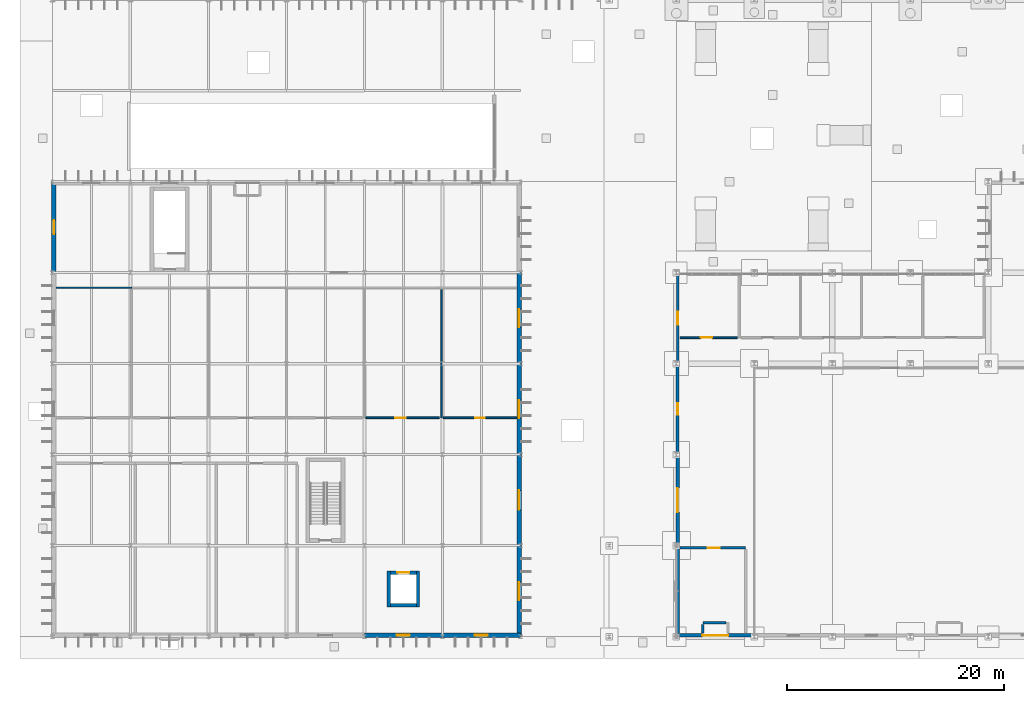
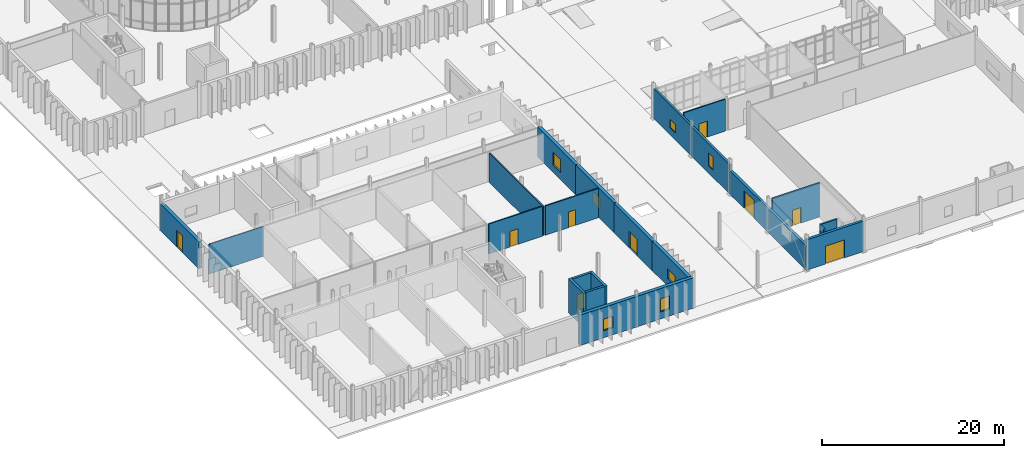
# One storey, part 89 of 118: 24 walls, 9 doors, 7 windows, 16 openings.
"""IFC4 building model written with IfcOpenShell, lengths in metres."""

from ifc_helpers import new_model, si_unit, direction, frame, frame_2d, origin, place, context, subcontext, project, spatial, rectangle, extrude, material, layer, layer_set, type_object, element, fill, save


model = new_model("IFC4")

# Units and contexts
model_context = context("Model", 3, precision=1e-05, world=origin(), true_north=direction((0.0, 1.0)))
body_context = subcontext(model_context, "Body", "Model", "MODEL_VIEW")
ifc_project = project(units=[si_unit("LENGTHUNIT", "METRE"), si_unit("AREAUNIT", "SQUARE_METRE"), si_unit("VOLUMEUNIT", "CUBIC_METRE"), si_unit("PLANEANGLEUNIT", "RADIAN"), si_unit("MASSUNIT", "GRAM", prefix="KILO")], contexts=[model_context])

# Site, building, storey
site_placement = place(None, origin())
site = spatial("IfcSite", under=ifc_project, at=site_placement, CompositionType="ELEMENT")
building_placement = place(site_placement, origin())
building = spatial("IfcBuilding", under=site, at=building_placement, Name="Qelthora Terrace Specialist Clinic", CompositionType="ELEMENT")
storey_placement = place(building_placement, origin())
storey = spatial("IfcBuildingStorey", under=building, at=storey_placement, Name="L00", CompositionType="ELEMENT", Elevation=0.0)

# Walls
ifc_material_1 = material(Name="Concrete C40/50", Category="concrete")
ifc_layer_1 = layer(ifc_material_1, 0.300048828125)
ifc_layer_set_1 = layer_set([ifc_layer_1], Name="Concrete C40/50")
wall_type_1 = type_object("IfcWallType", Name="WAL-CORE-300-C40", PredefinedType="SHEAR", material=ifc_layer_set_1)
for number, where, z_axis, x_axis, name in (
    (1, (31.050048828125, 2.75, 0.0), (0.0, 0.0, 1.0), (0.0, 1.0, 0.0), "Lift PL-03 L00 west shaft wall"),
    (2, (33.75, 2.75, 0.0), (0.0, 0.0, 1.0), (0.0, 1.0, 0.0), "Lift PL-03 L00 east shaft wall"),
):
    element("IfcWall", number, at=place(storey_placement, frame(where, z_axis=z_axis, x_axis=x_axis)), inside=storey, type_object=wall_type_1, Name=name, PredefinedType="SHEAR", context=body_context, shape_type="SweptSolid", body=[
        extrude(rectangle(XDim=3.300048828125, YDim=0.300048828125, at=frame_2d((1.64990234375, 0.0))), origin(), (0.0, 0.0, 1.0), 4.56005859375),
    ])

# Wall, opening, door
wall_1_placement = place(storey_placement, frame((31.199951171875, 5.89990234375, 0.0), z_axis=(0.0, 0.0, 1.0), x_axis=(1.0, 0.0, 0.0)))
wall_1 = element("IfcWall", 3, at=wall_1_placement, inside=storey, type_object=wall_type_1, Name="Lift PL-03 L00 north shaft wall", PredefinedType="SHEAR", context=body_context, shape_type="SweptSolid", body=[
    extrude(rectangle(XDim=2.400146484375, YDim=0.300048828125, at=frame_2d((1.2001953125, 0.0))), origin(), (0.0, 0.0, 1.0), 4.56005859375),
])
opening_1_placement = place(wall_1_placement, frame((0.64990234375, 0.0, 0.0)))
opening_1 = element("IfcOpeningElement", 4, at=opening_1_placement, cuts=wall_1, Name="Opening LD-PL-03-L00", PredefinedType="OPENING", context=body_context, shape_type="SweptSolid", body=[
    extrude(rectangle(XDim=1.10009765625, YDim=2.14990234375, at=frame_2d((0.550048828125, 1.074951171875))), frame((0.0, 0.159912109375, 0.0), z_axis=(0.0, -1.0, 0.0), x_axis=(1.0, 0.0, 0.0)), (0.0, 0.0, 1.0), 0.320068359375),
])
ifc_material_2 = material(Name="Steel S355", Category="steel")
door_type_1 = type_object("IfcDoorType", Name="DOR-LIFT-1100X2150", OperationType="NOTDEFINED", PredefinedType="DOOR", material=ifc_material_2)
door_1_placement = place(opening_1_placement, origin())
door_1 = element("IfcDoor", 5, at=door_1_placement, inside=storey, type_object=door_type_1, Name="Lift landing sliding door LD-PL-03-L00", OperationType="DOUBLE_DOOR_SLIDING", OverallHeight=2.14990234375, OverallWidth=1.10009765625, PredefinedType="DOOR", context=body_context, shape_type="SweptSolid", body=[
    extrude(rectangle(XDim=1.10009765625, YDim=2.14990234375, at=frame_2d((0.550048828125, 1.074951171875))), frame((0.0, 0.02490234375, 0.0), z_axis=(0.0, -1.0, 0.0), x_axis=(1.0, 0.0, 0.0)), (0.0, 0.0, 1.0), 0.050048828125),
])
fill(opening_1, door_1)

# Wall
wall_2_placement = place(storey_placement, frame((31.199951171875, 2.89990234375, 0.0), z_axis=(0.0, 0.0, 1.0), x_axis=(1.0, 0.0, 0.0)))
element("IfcWall", 6, at=wall_2_placement, inside=storey, type_object=wall_type_1, Name="Lift PL-03 L00 south shaft wall", PredefinedType="SHEAR", context=body_context, shape_type="SweptSolid", body=[
    extrude(rectangle(XDim=2.400146484375, YDim=0.300048828125, at=frame_2d((1.2001953125, 0.0))), origin(), (0.0, 0.0, 1.0), 4.56005859375),
])

# Wall, opening, window
ifc_material_3 = material(Name="Precast concrete C40/50", Category="concrete")
ifc_layer_2 = layer(ifc_material_3, 0.260009765625)
ifc_layer_set_2 = layer_set([ifc_layer_2], Name="Precast concrete C40/50")
wall_type_2 = type_object("IfcWallType", Name="WAL-EXT-260-PC40", PredefinedType="SOLIDWALL", material=ifc_layer_set_2)
wall_3_placement = place(storey_placement, frame((57.719970703125, 25.199951171875, 0.0), z_axis=(0.0, 0.0, 1.0), x_axis=(0.0, 1.0, 0.0)))
wall_3 = element("IfcWall", 7, at=wall_3_placement, inside=storey, type_object=wall_type_2, Name="L00 external precast wall 9", PredefinedType="SOLIDWALL", context=body_context, shape_type="SweptSolid", body=[
    extrude(rectangle(XDim=8.400146484375, YDim=0.260009765625, at=frame_2d((4.2001953125, 0.0))), origin(), (0.0, 0.0, 1.0), 3.998046875),
])
opening_2_placement = place(wall_3_placement, frame((3.60009765625, 0.0, 0.949951171875)))
opening_2 = element("IfcOpeningElement", 8, at=opening_2_placement, cuts=wall_3, Name="Opening WN-L00-005", PredefinedType="OPENING", context=body_context, shape_type="SweptSolid", body=[
    extrude(rectangle(XDim=1.199951171875, YDim=1.14990234375, at=frame_2d((0.60009765625, 0.574951171875))), frame((0.0, 0.139892578125, 0.0), z_axis=(0.0, -1.0, 0.0), x_axis=(1.0, 0.0, 0.0)), (0.0, 0.0, 1.0), 0.280029296875),
])
ifc_material_4 = material(Name="Low-E triple-silver insulating glass", Category="glass")
window_type_1 = type_object("IfcWindowType", Name="WIN-1200X1150", PartitioningType="SINGLE_PANEL", PredefinedType="WINDOW", material=ifc_material_4)
window_1_placement = place(opening_2_placement, origin())
window_1 = element("IfcWindow", 9, at=window_1_placement, inside=storey, type_object=window_type_1, Name="Clinical window WN-L00-005", OverallHeight=1.14990234375, OverallWidth=1.199951171875, PartitioningType="SINGLE_PANEL", PredefinedType="WINDOW", context=body_context, shape_type="SweptSolid", body=[
    extrude(rectangle(XDim=1.199951171875, YDim=1.14990234375, at=frame_2d((0.60009765625, 0.574951171875))), frame((0.0, 0.030029296875, 0.0), z_axis=(0.0, -1.0, 0.0), x_axis=(1.0, 0.0, 0.0)), (0.0, 0.0, 1.0), 0.06005859375),
])
fill(opening_2, window_1)

ifc_layer_3 = layer(ifc_material_3, 0.280029296875)
ifc_layer_set_3 = layer_set([ifc_layer_3], Name="Precast concrete C40/50")
wall_type_3 = type_object("IfcWallType", Name="WAL-EXT-280-PC40", PredefinedType="SOLIDWALL", material=ifc_layer_set_3)
wall_4_placement = place(storey_placement, frame((57.719970703125, 16.800048828125, 0.0), z_axis=(0.0, 0.0, 1.0), x_axis=(0.0, 1.0, 0.0)))
wall_4 = element("IfcWall", 10, at=wall_4_placement, inside=storey, type_object=wall_type_3, Name="L00 external precast wall 8", PredefinedType="SOLIDWALL", context=body_context, shape_type="SweptSolid", body=[
    extrude(rectangle(XDim=8.39990234375, YDim=0.280029296875, at=frame_2d((4.199951171875, 0.0))), origin(), (0.0, 0.0, 1.0), 3.925048828125),
])
opening_3_placement = place(wall_4_placement, frame((3.675048828125, 0.0, 0.949951171875)))
opening_3 = element("IfcOpeningElement", 11, at=opening_3_placement, cuts=wall_4, Name="Opening WN-L00-004", PredefinedType="OPENING", context=body_context, shape_type="SweptSolid", body=[
    extrude(rectangle(XDim=1.050048828125, YDim=1.75, at=frame_2d((0.52490234375, 0.875))), frame((0.0, 0.14990234375, 0.0), z_axis=(0.0, -1.0, 0.0), x_axis=(1.0, 0.0, 0.0)), (0.0, 0.0, 1.0), 0.300048828125),
])
window_type_2 = type_object("IfcWindowType", Name="WIN-1050X1750", PartitioningType="SINGLE_PANEL", PredefinedType="WINDOW", material=ifc_material_4)
window_2_placement = place(opening_3_placement, origin())
window_2 = element("IfcWindow", 12, at=window_2_placement, inside=storey, type_object=window_type_2, Name="Clinical window WN-L00-004", OverallHeight=1.75, OverallWidth=1.050048828125, PartitioningType="SINGLE_PANEL", PredefinedType="WINDOW", context=body_context, shape_type="SweptSolid", body=[
    extrude(rectangle(XDim=1.050048828125, YDim=1.75, at=frame_2d((0.52490234375, 0.875))), frame((0.0, 0.030029296875, 0.0), z_axis=(0.0, -1.0, 0.0), x_axis=(1.0, 0.0, 0.0)), (0.0, 0.0, 1.0), 0.06005859375),
])
fill(opening_3, window_2)

# Wall, opening, door
ifc_layer_4 = layer(ifc_material_3, 0.300048828125)
ifc_layer_set_4 = layer_set([ifc_layer_4], Name="Precast concrete C40/50")
wall_type_4 = type_object("IfcWallType", Name="WAL-EXT-300-PC40", PredefinedType="SOLIDWALL", material=ifc_layer_set_4)
wall_5_placement = place(storey_placement, frame((57.719970703125, 8.39990234375, 0.0), z_axis=(0.0, 0.0, 1.0), x_axis=(0.0, 1.0, 0.0)))
wall_5 = element("IfcWall", 13, at=wall_5_placement, inside=storey, type_object=wall_type_4, Name="L00 external precast wall 7", PredefinedType="SOLIDWALL", context=body_context, shape_type="SweptSolid", body=[
    extrude(rectangle(XDim=8.400146484375, YDim=0.300048828125, at=frame_2d((4.2001953125, 0.0))), origin(), (0.0, 0.0, 1.0), 3.199951171875),
])
opening_4_placement = place(wall_5_placement, frame((3.10009765625, 0.0, 0.0)))
opening_4 = element("IfcOpeningElement", 14, at=opening_4_placement, cuts=wall_5, Name="Opening DE-FORE-01", PredefinedType="OPENING", context=body_context, shape_type="SweptSolid", body=[
    extrude(rectangle(XDim=2.199951171875, YDim=2.39990234375, at=frame_2d((1.10009765625, 1.199951171875))), frame((0.0, 0.159912109375, 0.0), z_axis=(0.0, -1.0, 0.0), x_axis=(1.0, 0.0, 0.0)), (0.0, 0.0, 1.0), 0.320068359375),
])
door_type_2 = type_object("IfcDoorType", Name="DOR-EXT-2200X2400", OperationType="NOTDEFINED", PredefinedType="DOOR", material=ifc_material_2)
door_2_placement = place(opening_4_placement, origin())
door_2 = element("IfcDoor", 15, at=door_2_placement, inside=storey, type_object=door_type_2, Name="Exterior entrance/exit door DE-FORE-01", OperationType="DOUBLE_DOOR_SINGLE_SWING", OverallHeight=2.39990234375, OverallWidth=2.199951171875, PredefinedType="DOOR", context=body_context, shape_type="SweptSolid", body=[
    extrude(rectangle(XDim=2.199951171875, YDim=2.39990234375, at=frame_2d((1.10009765625, 1.199951171875))), frame((0.0, 0.02490234375, 0.0), z_axis=(0.0, -1.0, 0.0), x_axis=(1.0, 0.0, 0.0)), (0.0, 0.0, 1.0), 0.050048828125),
])
fill(opening_4, door_2)

ifc_layer_5 = layer(ifc_material_3, 0.320068359375)
ifc_layer_set_5 = layer_set([ifc_layer_5], Name="Precast concrete C40/50")
wall_type_5 = type_object("IfcWallType", Name="WAL-EXT-320-PC40", PredefinedType="SOLIDWALL", material=ifc_layer_set_5)
wall_6_placement = place(storey_placement, frame((57.60009765625, 0.1201171875, 0.0), z_axis=(0.0, 0.0, 1.0), x_axis=(1.0, 0.0, 0.0)))
wall_6 = element("IfcWall", 16, at=wall_6_placement, inside=storey, type_object=wall_type_5, Name="L00 external precast wall 1", PredefinedType="SOLIDWALL", context=body_context, shape_type="SweptSolid", body=[
    extrude(rectangle(XDim=7.199951171875, YDim=0.320068359375, at=frame_2d((3.60009765625, 0.0))), origin(), (0.0, 0.0, 1.0), 4.08203125),
])
opening_5_placement = place(wall_6_placement, frame((2.39990234375, 0.0, 0.0)))
opening_5 = element("IfcOpeningElement", 17, at=opening_5_placement, cuts=wall_6, Name="Opening DE-MAIN-01", PredefinedType="OPENING", context=body_context, shape_type="SweptSolid", body=[
    extrude(rectangle(XDim=2.39990234375, YDim=2.39990234375, at=frame_2d((1.199951171875, 1.199951171875))), frame((0.0, 0.169921875, 0.0), z_axis=(0.0, -1.0, 0.0), x_axis=(1.0, 0.0, 0.0)), (0.0, 0.0, 1.0), 0.340087890625),
])
door_type_3 = type_object("IfcDoorType", Name="DOR-EXT-2400X2400", OperationType="NOTDEFINED", PredefinedType="DOOR", material=ifc_material_2)
door_3_placement = place(opening_5_placement, frame((2.39990234375, 0.0, 0.0), z_axis=(0.0, 0.0, 1.0), x_axis=(-1.0, 0.0, 0.0)))
door_3 = element("IfcDoor", 18, at=door_3_placement, inside=storey, type_object=door_type_3, Name="Exterior entrance/exit door DE-MAIN-01", OperationType="DOUBLE_DOOR_SINGLE_SWING", OverallHeight=2.39990234375, OverallWidth=2.39990234375, PredefinedType="DOOR", context=body_context, shape_type="SweptSolid", body=[
    extrude(rectangle(XDim=2.39990234375, YDim=2.39990234375, at=frame_2d((1.199951171875, 1.199951171875))), frame((0.0, 0.02490234375, 0.0), z_axis=(0.0, -1.0, 0.0), x_axis=(1.0, 0.0, 0.0)), (0.0, 0.0, 1.0), 0.050048828125),
])
fill(opening_5, door_3)

# Wall
wall_7_placement = place(storey_placement, frame((57.719970703125, 0.0, 0.0), z_axis=(0.0, 0.0, 1.0), x_axis=(0.0, 1.0, 0.0)))
element("IfcWall", 19, at=wall_7_placement, inside=storey, type_object=wall_type_5, Name="L00 external precast wall 6", PredefinedType="SOLIDWALL", context=body_context, shape_type="SweptSolid", body=[
    extrude(rectangle(XDim=8.39990234375, YDim=0.320068359375, at=frame_2d((4.199951171875, 0.0))), origin(), (0.0, 0.0, 1.0), 3.199951171875),
])

# Wall, opening, door
ifc_material_5 = material(Name="Gypsum fire-rated wallboard", Category="gypsum")
ifc_layer_6 = layer(ifc_material_5, 0.159912109375)
ifc_layer_set_6 = layer_set([ifc_layer_6], Name="Gypsum fire-rated wallboard")
wall_type_6 = type_object("IfcWallType", Name="WAL-INT-COR-160", PredefinedType="PARTITIONING", material=ifc_layer_set_6)
wall_8_placement = place(storey_placement, frame((63.219970703125, 27.60009765625, 0.0), z_axis=(0.0, 0.0, 1.0), x_axis=(-1.0, 0.0, 0.0)))
wall_8 = element("IfcWall", 20, at=wall_8_placement, inside=storey, type_object=wall_type_6, Name="Interior clinical partition IWAL-L00-0032", PredefinedType="PARTITIONING", context=body_context, shape_type="SweptSolid", body=[
    extrude(rectangle(XDim=5.280029296875, YDim=0.159912109375, at=frame_2d((2.64013671875, 0.0))), origin(), (0.0, 0.0, 1.0), 4.282958984375),
])
opening_6_placement = place(wall_8_placement, frame((2.300048828125, 0.0, 0.0)))
opening_6 = element("IfcOpeningElement", 21, at=opening_6_placement, cuts=wall_8, Name="Opening DI-L00-0012", PredefinedType="OPENING", context=body_context, shape_type="SweptSolid", body=[
    extrude(rectangle(XDim=1.080078125, YDim=2.14990234375, at=frame_2d((0.5400390625, 1.074951171875))), frame((0.0, 0.08984375, 0.0), z_axis=(0.0, -1.0, 0.0), x_axis=(1.0, 0.0, 0.0)), (0.0, 0.0, 1.0), 0.179931640625),
])
ifc_material_6 = material(Name="Glulam timber GL28h", Category="wood")
door_type_4 = type_object("IfcDoorType", Name="DOR-CON-1080X2150", OperationType="NOTDEFINED", PredefinedType="DOOR", material=ifc_material_6)
door_4_placement = place(opening_6_placement, frame((1.080078125, 0.0, 0.0), z_axis=(0.0, 0.0, 1.0), x_axis=(-1.0, 0.0, 0.0)))
door_4 = element("IfcDoor", 22, at=door_4_placement, inside=storey, type_object=door_type_4, Name="Interior clinical door DI-L00-0012", OperationType="SINGLE_SWING_LEFT", OverallHeight=2.14990234375, OverallWidth=1.080078125, PredefinedType="DOOR", context=body_context, shape_type="SweptSolid", body=[
    extrude(rectangle(XDim=1.080078125, YDim=2.14990234375, at=frame_2d((0.5400390625, 1.074951171875))), frame((0.0, 0.02490234375, 0.0), z_axis=(0.0, -1.0, 0.0), x_axis=(1.0, 0.0, 0.0)), (0.0, 0.0, 1.0), 0.050048828125),
])
fill(opening_6, door_4)

# Walls
ifc_layer_7 = layer(ifc_material_4, 0.110107421875)
ifc_layer_set_7 = layer_set([ifc_layer_7], Name="Low-E triple-silver insulating glass")
wall_type_7 = type_object("IfcWallType", Name="WAL-INT-GLA-110", PredefinedType="MOVABLE", material=ifc_layer_set_7)
wall_9_placement = place(storey_placement, frame((0.340087890625, 32.199951171875, 0.0), z_axis=(0.0, 0.0, 1.0), x_axis=(1.0, 0.0, 0.0)))
element("IfcWall", 23, at=wall_9_placement, inside=storey, type_object=wall_type_7, Name="Interior clinical partition IWAL-L00-0047", PredefinedType="MOVABLE", context=body_context, shape_type="SweptSolid", body=[
    extrude(rectangle(XDim=6.9599609375, YDim=0.110107421875, at=frame_2d((3.47998046875, 0.0))), origin(), (0.0, 0.0, 1.0), 4.0009765625),
])
ifc_layer_8 = layer(ifc_material_5, 0.199951171875)
ifc_layer_set_8 = layer_set([ifc_layer_8], Name="Gypsum fire-rated wallboard")
wall_type_8 = type_object("IfcWallType", Name="WAL-INT-SMK-200", PredefinedType="PARTITIONING", material=ifc_layer_set_8)
wall_10_placement = place(storey_placement, frame((62.179931640625, 1.280029296875, 0.0), z_axis=(0.0, 0.0, 1.0), x_axis=(-1.0, 0.0, 0.0)))
element("IfcWall", 24, at=wall_10_placement, inside=storey, type_object=wall_type_8, Name="Interior clinical partition IWAL-L00-0022", PredefinedType="PARTITIONING", context=body_context, shape_type="SweptSolid", body=[
    extrude(rectangle(XDim=2.139892578125, YDim=0.199951171875, at=frame_2d((1.06982421875, 0.0))), origin(), (0.0, 0.0, 1.0), 4.544921875),
])
wall_11_placement = place(storey_placement, frame((60.0400390625, 1.10009765625, 0.0), z_axis=(0.0, 0.0, 1.0), x_axis=(0.0, -1.0, 0.0)))
element("IfcWall", 25, at=wall_11_placement, inside=storey, type_object=wall_type_8, Name="Interior clinical partition IWAL-L00-0023", PredefinedType="PARTITIONING", context=body_context, shape_type="SweptSolid", body=[
    extrude(rectangle(XDim=0.760009765625, YDim=0.199951171875, at=frame_2d((0.3798828125, 0.0))), origin(), (0.0, 0.0, 1.0), 4.544921875),
])

# Wall, opening, door
wall_12_placement = place(storey_placement, frame((57.93994140625, 8.199951171875, 0.0), z_axis=(0.0, 0.0, 1.0), x_axis=(1.0, 0.0, 0.0)))
wall_12 = element("IfcWall", 26, at=wall_12_placement, inside=storey, type_object=wall_type_8, Name="Interior clinical partition IWAL-L00-0024", PredefinedType="PARTITIONING", context=body_context, shape_type="SweptSolid", body=[
    extrude(rectangle(XDim=6.06005859375, YDim=0.199951171875, at=frame_2d((3.030029296875, 0.0))), origin(), (0.0, 0.0, 1.0), 4.544921875),
])
opening_7_placement = place(wall_12_placement, frame((2.550048828125, 0.0, 0.0)))
opening_7 = element("IfcOpeningElement", 27, at=opening_7_placement, cuts=wall_12, Name="Opening DI-L00-0010", PredefinedType="OPENING", context=body_context, shape_type="SweptSolid", body=[
    extrude(rectangle(XDim=1.10009765625, YDim=2.10009765625, at=frame_2d((0.550048828125, 1.050048828125))), frame((0.0, 0.10986328125, 0.0), z_axis=(0.0, -1.0, 0.0), x_axis=(1.0, 0.0, 0.0)), (0.0, 0.0, 1.0), 0.219970703125),
])
door_type_5 = type_object("IfcDoorType", Name="DOR-FC-1100X2100", OperationType="NOTDEFINED", PredefinedType="DOOR", material=ifc_material_2)
door_5_placement = place(opening_7_placement, frame((1.10009765625, 0.0, 0.0), z_axis=(0.0, 0.0, 1.0), x_axis=(-1.0, 0.0, 0.0)))
door_5 = element("IfcDoor", 28, at=door_5_placement, inside=storey, type_object=door_type_5, Name="Interior clinical door DI-L00-0010", OperationType="SINGLE_SWING_LEFT", OverallHeight=2.10009765625, OverallWidth=1.10009765625, PredefinedType="DOOR", context=body_context, shape_type="SweptSolid", body=[
    extrude(rectangle(XDim=1.10009765625, YDim=2.10009765625, at=frame_2d((0.550048828125, 1.050048828125))), frame((0.0, 0.02490234375, 0.0), z_axis=(0.0, -1.0, 0.0), x_axis=(1.0, 0.0, 0.0)), (0.0, 0.0, 1.0), 0.050048828125),
])
fill(opening_7, door_5)

# Wall
ifc_material_7 = material(Name="Gypsum moisture-resistant", Category="gypsum")
ifc_layer_9 = layer(ifc_material_7, 0.14990234375)
ifc_layer_set_9 = layer_set([ifc_layer_9], Name="Gypsum moisture-resistant")
wall_type_9 = type_object("IfcWallType", Name="WAL-INT-WET-150", PredefinedType="PLUMBINGWALL", material=ifc_layer_set_9)
wall_13_placement = place(storey_placement, frame((35.89990234375, 32.02001953125, 0.0), z_axis=(0.0, 0.0, 1.0), x_axis=(0.0, -1.0, 0.0)))
element("IfcWall", 29, at=wall_13_placement, inside=storey, type_object=wall_type_9, Name="Interior clinical partition IWAL-L00-0060", PredefinedType="PLUMBINGWALL", context=body_context, shape_type="SweptSolid", body=[
    extrude(rectangle(XDim=11.820068359375, YDim=0.14990234375, at=frame_2d((5.91015625, 0.0))), origin(), (0.0, 0.0, 1.0), 3.927978515625),
])

# Wall, opening, door
wall_14_placement = place(storey_placement, frame((35.719970703125, 20.199951171875, 0.0), z_axis=(0.0, 0.0, 1.0), x_axis=(-1.0, 0.0, 0.0)))
wall_14 = element("IfcWall", 30, at=wall_14_placement, inside=storey, type_object=wall_type_9, Name="Interior clinical partition IWAL-L00-0061", PredefinedType="PLUMBINGWALL", context=body_context, shape_type="SweptSolid", body=[
    extrude(rectangle(XDim=6.7900390625, YDim=0.14990234375, at=frame_2d((3.39501953125, 0.0))), origin(), (0.0, 0.0, 1.0), 4.008056640625),
])
opening_8_placement = place(wall_14_placement, frame((3.094970703125, 0.0, 0.0)))
opening_8 = element("IfcOpeningElement", 31, at=opening_8_placement, cuts=wall_14, Name="Opening DI-L00-0024", PredefinedType="OPENING", context=body_context, shape_type="SweptSolid", body=[
    extrude(rectangle(XDim=1.0, YDim=2.10009765625, at=frame_2d((0.5, 1.050048828125))), frame((0.0, 0.0849609375, 0.0), z_axis=(0.0, -1.0, 0.0), x_axis=(1.0, 0.0, 0.0)), (0.0, 0.0, 1.0), 0.169921875),
])
door_type_6 = type_object("IfcDoorType", Name="DOR-AWC-1000X2100", OperationType="NOTDEFINED", PredefinedType="DOOR", material=ifc_material_6)
door_6_placement = place(opening_8_placement, frame((1.0, 0.0, 0.0), z_axis=(0.0, 0.0, 1.0), x_axis=(-1.0, 0.0, 0.0)))
door_6 = element("IfcDoor", 32, at=door_6_placement, inside=storey, type_object=door_type_6, Name="Interior clinical door DI-L00-0024", OperationType="SINGLE_SWING_LEFT", OverallHeight=2.10009765625, OverallWidth=1.0, PredefinedType="DOOR", context=body_context, shape_type="SweptSolid", body=[
    extrude(rectangle(XDim=1.0, YDim=2.10009765625, at=frame_2d((0.5, 1.050048828125))), frame((0.0, 0.02490234375, 0.0), z_axis=(0.0, -1.0, 0.0), x_axis=(1.0, 0.0, 0.0)), (0.0, 0.0, 1.0), 0.050048828125),
])
fill(opening_8, door_6)

wall_15_placement = place(storey_placement, frame((42.860107421875, 20.199951171875, 0.0), z_axis=(0.0, 0.0, 1.0), x_axis=(-1.0, 0.0, 0.0)))
wall_15 = element("IfcWall", 33, at=wall_15_placement, inside=storey, type_object=wall_type_9, Name="Interior clinical partition IWAL-L00-0063", PredefinedType="PLUMBINGWALL", context=body_context, shape_type="SweptSolid", body=[
    extrude(rectangle(XDim=6.780029296875, YDim=0.14990234375, at=frame_2d((3.39013671875, 0.0))), origin(), (0.0, 0.0, 1.0), 3.927978515625),
])
opening_9_placement = place(wall_15_placement, frame((2.93994140625, 0.0, 0.0)))
opening_9 = element("IfcOpeningElement", 34, at=opening_9_placement, cuts=wall_15, Name="Opening DI-L00-0025", PredefinedType="OPENING", context=body_context, shape_type="SweptSolid", body=[
    extrude(rectangle(XDim=0.89990234375, YDim=2.10009765625, at=frame_2d((0.449951171875, 1.050048828125))), frame((0.0, 0.0849609375, 0.0), z_axis=(0.0, -1.0, 0.0), x_axis=(1.0, 0.0, 0.0)), (0.0, 0.0, 1.0), 0.169921875),
])
door_type_7 = type_object("IfcDoorType", Name="DOR-WC-900X2100", OperationType="NOTDEFINED", PredefinedType="DOOR", material=ifc_material_6)
door_7_placement = place(opening_9_placement, frame((0.89990234375, 0.0, 0.0), z_axis=(0.0, 0.0, 1.0), x_axis=(-1.0, 0.0, 0.0)))
door_7 = element("IfcDoor", 35, at=door_7_placement, inside=storey, type_object=door_type_7, Name="Interior clinical door DI-L00-0025", OperationType="SINGLE_SWING_RIGHT", OverallHeight=2.10009765625, OverallWidth=0.89990234375, PredefinedType="DOOR", context=body_context, shape_type="SweptSolid", body=[
    extrude(rectangle(XDim=0.89990234375, YDim=2.10009765625, at=frame_2d((0.449951171875, 1.050048828125))), frame((0.0, 0.02490234375, 0.0), z_axis=(0.0, -1.0, 0.0), x_axis=(1.0, 0.0, 0.0)), (0.0, 0.0, 1.0), 0.050048828125),
])
fill(opening_9, door_7)

# Wall, opening, window
ifc_layer_10 = layer(ifc_material_3, 0.419921875)
ifc_layer_set_10 = layer_set([ifc_layer_10], Name="Precast concrete C40/50")
wall_type_10 = type_object("IfcWallType", Name="WAL-MRI-420-PC40", PredefinedType="SOLIDWALL", material=ifc_layer_set_10)
wall_16_placement = place(storey_placement, frame((28.800048828125, 0.1201171875, 0.0), z_axis=(0.0, 0.0, 1.0), x_axis=(1.0, 0.0, 0.0)))
wall_16 = element("IfcWall", 36, at=wall_16_placement, inside=storey, type_object=wall_type_10, Name="L00 external precast wall 94", PredefinedType="SOLIDWALL", context=body_context, shape_type="SweptSolid", body=[
    extrude(rectangle(XDim=7.199951171875, YDim=0.419921875, at=frame_2d((3.60009765625, 0.0))), origin(), (0.0, 0.0, 1.0), 4.08203125),
])
opening_10_placement = place(wall_16_placement, frame((3.0, 0.0, 0.949951171875)))
opening_10 = element("IfcOpeningElement", 37, at=opening_10_placement, cuts=wall_16, Name="Opening WN-L00-071", PredefinedType="OPENING", context=body_context, shape_type="SweptSolid", body=[
    extrude(rectangle(XDim=1.199951171875, YDim=1.550048828125, at=frame_2d((0.60009765625, 0.77490234375))), frame((0.0, 0.219970703125, 0.0), z_axis=(0.0, -1.0, 0.0), x_axis=(1.0, 0.0, 0.0)), (0.0, 0.0, 1.0), 0.43994140625),
])
window_type_3 = type_object("IfcWindowType", Name="WIN-1200X1550", PartitioningType="SINGLE_PANEL", PredefinedType="WINDOW", material=ifc_material_4)
window_3_placement = place(opening_10_placement, origin())
window_3 = element("IfcWindow", 38, at=window_3_placement, inside=storey, type_object=window_type_3, Name="Clinical window WN-L00-071", OverallHeight=1.550048828125, OverallWidth=1.199951171875, PartitioningType="SINGLE_PANEL", PredefinedType="WINDOW", context=body_context, shape_type="SweptSolid", body=[
    extrude(rectangle(XDim=1.199951171875, YDim=1.550048828125, at=frame_2d((0.60009765625, 0.77490234375))), frame((0.0, 0.030029296875, 0.0), z_axis=(0.0, -1.0, 0.0), x_axis=(1.0, 0.0, 0.0)), (0.0, 0.0, 1.0), 0.06005859375),
])
fill(opening_10, window_3)

wall_17_placement = place(storey_placement, frame((36.0, 0.1201171875, 0.0), z_axis=(0.0, 0.0, 1.0), x_axis=(1.0, 0.0, 0.0)))
wall_17 = element("IfcWall", 39, at=wall_17_placement, inside=storey, type_object=wall_type_10, Name="L00 external precast wall 95", PredefinedType="SOLIDWALL", context=body_context, shape_type="SweptSolid", body=[
    extrude(rectangle(XDim=7.199951171875, YDim=0.419921875, at=frame_2d((3.60009765625, 0.0))), origin(), (0.0, 0.0, 1.0), 4.08203125),
])
opening_11_placement = place(wall_17_placement, frame((3.0, 0.0, 0.949951171875)))
opening_11 = element("IfcOpeningElement", 40, at=opening_11_placement, cuts=wall_17, Name="Opening WN-L00-072", PredefinedType="OPENING", context=body_context, shape_type="SweptSolid", body=[
    extrude(rectangle(XDim=1.199951171875, YDim=1.75, at=frame_2d((0.60009765625, 0.875))), frame((0.0, 0.219970703125, 0.0), z_axis=(0.0, -1.0, 0.0), x_axis=(1.0, 0.0, 0.0)), (0.0, 0.0, 1.0), 0.43994140625),
])
window_type_4 = type_object("IfcWindowType", Name="WIN-1200X1750", PartitioningType="SINGLE_PANEL", PredefinedType="WINDOW", material=ifc_material_4)
window_4_placement = place(opening_11_placement, origin())
window_4 = element("IfcWindow", 41, at=window_4_placement, inside=storey, type_object=window_type_4, Name="Clinical window WN-L00-072", OverallHeight=1.75, OverallWidth=1.199951171875, PartitioningType="SINGLE_PANEL", PredefinedType="WINDOW", context=body_context, shape_type="SweptSolid", body=[
    extrude(rectangle(XDim=1.199951171875, YDim=1.75, at=frame_2d((0.60009765625, 0.875))), frame((0.0, 0.030029296875, 0.0), z_axis=(0.0, -1.0, 0.0), x_axis=(1.0, 0.0, 0.0)), (0.0, 0.0, 1.0), 0.06005859375),
])
fill(opening_11, window_4)

# Wall, opening, door
wall_18_placement = place(storey_placement, frame((0.1201171875, 33.60009765625, 0.0), z_axis=(0.0, 0.0, 1.0), x_axis=(0.0, 1.0, 0.0)))
wall_18 = element("IfcWall", 42, at=wall_18_placement, inside=storey, type_object=wall_type_10, Name="L00 external precast wall 100", PredefinedType="SOLIDWALL", context=body_context, shape_type="SweptSolid", body=[
    extrude(rectangle(XDim=8.39990234375, YDim=0.419921875, at=frame_2d((4.199951171875, 0.0))), origin(), (0.0, 0.0, 1.0), 3.614990234375),
])
opening_12_placement = place(wall_18_placement, frame((3.550048828125, 0.0, 0.0)))
opening_12 = element("IfcOpeningElement", 43, at=opening_12_placement, cuts=wall_18, Name="Opening DE-ST04-EXIT", PredefinedType="OPENING", context=body_context, shape_type="SweptSolid", body=[
    extrude(rectangle(XDim=1.300048828125, YDim=2.199951171875, at=frame_2d((0.64990234375, 1.10009765625))), frame((0.0, 0.219970703125, 0.0), z_axis=(0.0, -1.0, 0.0), x_axis=(1.0, 0.0, 0.0)), (0.0, 0.0, 1.0), 0.43994140625),
])
door_type_8 = type_object("IfcDoorType", Name="DOR-EXT-1300X2200", OperationType="NOTDEFINED", PredefinedType="DOOR", material=ifc_material_2)
door_8_placement = place(opening_12_placement, origin())
door_8 = element("IfcDoor", 44, at=door_8_placement, inside=storey, type_object=door_type_8, Name="Exterior entrance/exit door DE-ST04-EXIT", OperationType="SINGLE_SWING_RIGHT", OverallHeight=2.199951171875, OverallWidth=1.300048828125, PredefinedType="DOOR", context=body_context, shape_type="SweptSolid", body=[
    extrude(rectangle(XDim=1.300048828125, YDim=2.199951171875, at=frame_2d((0.64990234375, 1.10009765625))), frame((0.0, 0.02490234375, 0.0), z_axis=(0.0, -1.0, 0.0), x_axis=(1.0, 0.0, 0.0)), (0.0, 0.0, 1.0), 0.050048828125),
])
fill(opening_12, door_8)

# Wall, opening, window
wall_19_placement = place(storey_placement, frame((43.080078125, 0.0, 0.0), z_axis=(0.0, 0.0, 1.0), x_axis=(0.0, 1.0, 0.0)))
wall_19 = element("IfcWall", 45, at=wall_19_placement, inside=storey, type_object=wall_type_10, Name="L00 external precast wall 107", PredefinedType="SOLIDWALL", context=body_context, shape_type="SweptSolid", body=[
    extrude(rectangle(XDim=8.39990234375, YDim=0.419921875, at=frame_2d((4.199951171875, 0.0))), origin(), (0.0, 0.0, 1.0), 3.925048828125),
])
opening_13_placement = place(wall_19_placement, frame((3.375, 0.0, 0.949951171875)))
opening_13 = element("IfcOpeningElement", 46, at=opening_13_placement, cuts=wall_19, Name="Opening WN-L00-082", PredefinedType="OPENING", context=body_context, shape_type="SweptSolid", body=[
    extrude(rectangle(XDim=1.64990234375, YDim=1.35009765625, at=frame_2d((0.824951171875, 0.675048828125))), frame((0.0, 0.219970703125, 0.0), z_axis=(0.0, -1.0, 0.0), x_axis=(1.0, 0.0, 0.0)), (0.0, 0.0, 1.0), 0.43994140625),
])
window_type_5 = type_object("IfcWindowType", Name="WIN-1650X1350", PartitioningType="DOUBLE_PANEL_VERTICAL", PredefinedType="WINDOW", material=ifc_material_4)
window_5_placement = place(opening_13_placement, origin())
window_5 = element("IfcWindow", 47, at=window_5_placement, inside=storey, type_object=window_type_5, Name="Clinical window WN-L00-082", OverallHeight=1.35009765625, OverallWidth=1.64990234375, PartitioningType="SINGLE_PANEL", PredefinedType="WINDOW", context=body_context, shape_type="SweptSolid", body=[
    extrude(rectangle(XDim=1.64990234375, YDim=1.35009765625, at=frame_2d((0.824951171875, 0.675048828125))), frame((0.0, 0.030029296875, 0.0), z_axis=(0.0, -1.0, 0.0), x_axis=(1.0, 0.0, 0.0)), (0.0, 0.0, 1.0), 0.06005859375),
])
fill(opening_13, window_5)

# Wall, opening, door
wall_20_placement = place(storey_placement, frame((43.080078125, 8.39990234375, 0.0), z_axis=(0.0, 0.0, 1.0), x_axis=(0.0, 1.0, 0.0)))
wall_20 = element("IfcWall", 48, at=wall_20_placement, inside=storey, type_object=wall_type_10, Name="L00 external precast wall 108", PredefinedType="SOLIDWALL", context=body_context, shape_type="SweptSolid", body=[
    extrude(rectangle(XDim=8.400146484375, YDim=0.419921875, at=frame_2d((4.2001953125, 0.0))), origin(), (0.0, 0.0, 1.0), 3.925048828125),
])
opening_14_placement = place(wall_20_placement, frame((3.300048828125, 0.0, 0.0)))
opening_14 = element("IfcOpeningElement", 49, at=opening_14_placement, cuts=wall_20, Name="Opening DE-IMG-01", PredefinedType="OPENING", context=body_context, shape_type="SweptSolid", body=[
    extrude(rectangle(XDim=1.800048828125, YDim=2.199951171875, at=frame_2d((0.89990234375, 1.10009765625))), frame((0.0, 0.219970703125, 0.0), z_axis=(0.0, -1.0, 0.0), x_axis=(1.0, 0.0, 0.0)), (0.0, 0.0, 1.0), 0.43994140625),
])
door_type_9 = type_object("IfcDoorType", Name="DOR-EXT-1800X2200", OperationType="NOTDEFINED", PredefinedType="DOOR", material=ifc_material_2)
door_9_placement = place(opening_14_placement, frame((1.800048828125, 0.0, 0.0), z_axis=(0.0, 0.0, 1.0), x_axis=(-1.0, 0.0, 0.0)))
door_9 = element("IfcDoor", 50, at=door_9_placement, inside=storey, type_object=door_type_9, Name="Exterior entrance/exit door DE-IMG-01", OperationType="DOUBLE_DOOR_SINGLE_SWING", OverallHeight=2.199951171875, OverallWidth=1.800048828125, PredefinedType="DOOR", context=body_context, shape_type="SweptSolid", body=[
    extrude(rectangle(XDim=1.800048828125, YDim=2.199951171875, at=frame_2d((0.89990234375, 1.10009765625))), frame((0.0, 0.02490234375, 0.0), z_axis=(0.0, -1.0, 0.0), x_axis=(1.0, 0.0, 0.0)), (0.0, 0.0, 1.0), 0.050048828125),
])
fill(opening_14, door_9)

# Wall, opening, window
wall_21_placement = place(storey_placement, frame((43.080078125, 16.800048828125, 0.0), z_axis=(0.0, 0.0, 1.0), x_axis=(0.0, 1.0, 0.0)))
wall_21 = element("IfcWall", 51, at=wall_21_placement, inside=storey, type_object=wall_type_10, Name="L00 external precast wall 109", PredefinedType="SOLIDWALL", context=body_context, shape_type="SweptSolid", body=[
    extrude(rectangle(XDim=8.39990234375, YDim=0.419921875, at=frame_2d((4.199951171875, 0.0))), origin(), (0.0, 0.0, 1.0), 3.998046875),
])
opening_15_placement = place(wall_21_placement, frame((3.375, 0.0, 0.949951171875)))
opening_15 = element("IfcOpeningElement", 52, at=opening_15_placement, cuts=wall_21, Name="Opening WN-L00-083", PredefinedType="OPENING", context=body_context, shape_type="SweptSolid", body=[
    extrude(rectangle(XDim=1.64990234375, YDim=1.550048828125, at=frame_2d((0.824951171875, 0.77490234375))), frame((0.0, 0.219970703125, 0.0), z_axis=(0.0, -1.0, 0.0), x_axis=(1.0, 0.0, 0.0)), (0.0, 0.0, 1.0), 0.43994140625),
])
window_type_6 = type_object("IfcWindowType", Name="WIN-1650X1550", PartitioningType="DOUBLE_PANEL_VERTICAL", PredefinedType="WINDOW", material=ifc_material_4)
window_6_placement = place(opening_15_placement, origin())
window_6 = element("IfcWindow", 53, at=window_6_placement, inside=storey, type_object=window_type_6, Name="Clinical window WN-L00-083", OverallHeight=1.550048828125, OverallWidth=1.64990234375, PartitioningType="SINGLE_PANEL", PredefinedType="WINDOW", context=body_context, shape_type="SweptSolid", body=[
    extrude(rectangle(XDim=1.64990234375, YDim=1.550048828125, at=frame_2d((0.824951171875, 0.77490234375))), frame((0.0, 0.030029296875, 0.0), z_axis=(0.0, -1.0, 0.0), x_axis=(1.0, 0.0, 0.0)), (0.0, 0.0, 1.0), 0.06005859375),
])
fill(opening_15, window_6)

wall_22_placement = place(storey_placement, frame((43.080078125, 25.199951171875, 0.0), z_axis=(0.0, 0.0, 1.0), x_axis=(0.0, 1.0, 0.0)))
wall_22 = element("IfcWall", 54, at=wall_22_placement, inside=storey, type_object=wall_type_10, Name="L00 external precast wall 110", PredefinedType="SOLIDWALL", context=body_context, shape_type="SweptSolid", body=[
    extrude(rectangle(XDim=8.400146484375, YDim=0.419921875, at=frame_2d((4.2001953125, 0.0))), origin(), (0.0, 0.0, 1.0), 4.0048828125),
])
opening_16_placement = place(wall_22_placement, frame((3.375, 0.0, 0.949951171875)))
opening_16 = element("IfcOpeningElement", 55, at=opening_16_placement, cuts=wall_22, Name="Opening WN-L00-084", PredefinedType="OPENING", context=body_context, shape_type="SweptSolid", body=[
    extrude(rectangle(XDim=1.64990234375, YDim=1.75, at=frame_2d((0.824951171875, 0.875))), frame((0.0, 0.219970703125, 0.0), z_axis=(0.0, -1.0, 0.0), x_axis=(1.0, 0.0, 0.0)), (0.0, 0.0, 1.0), 0.43994140625),
])
window_type_7 = type_object("IfcWindowType", Name="WIN-1650X1750", PartitioningType="DOUBLE_PANEL_VERTICAL", PredefinedType="WINDOW", material=ifc_material_4)
window_7_placement = place(opening_16_placement, origin())
window_7 = element("IfcWindow", 56, at=window_7_placement, inside=storey, type_object=window_type_7, Name="Clinical window WN-L00-084", OverallHeight=1.75, OverallWidth=1.64990234375, PartitioningType="SINGLE_PANEL", PredefinedType="WINDOW", context=body_context, shape_type="SweptSolid", body=[
    extrude(rectangle(XDim=1.64990234375, YDim=1.75, at=frame_2d((0.824951171875, 0.875))), frame((0.0, 0.030029296875, 0.0), z_axis=(0.0, -1.0, 0.0), x_axis=(1.0, 0.0, 0.0)), (0.0, 0.0, 1.0), 0.06005859375),
])
fill(opening_16, window_7)

save(model, "model.ifc")
